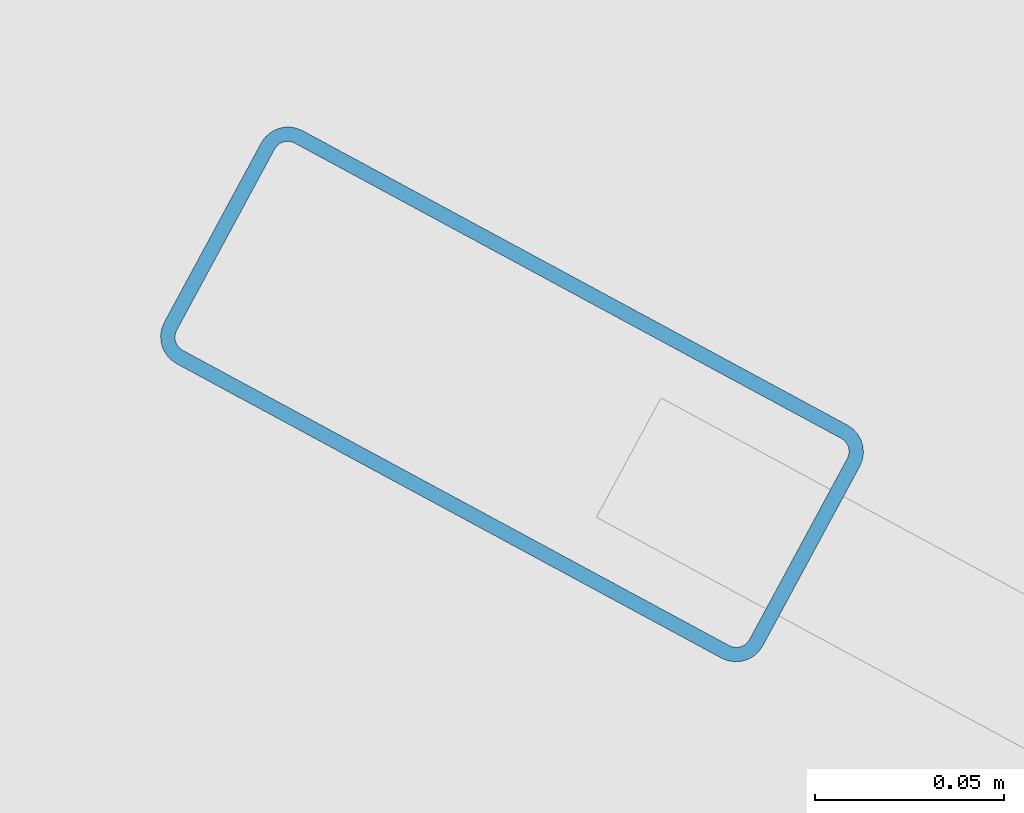
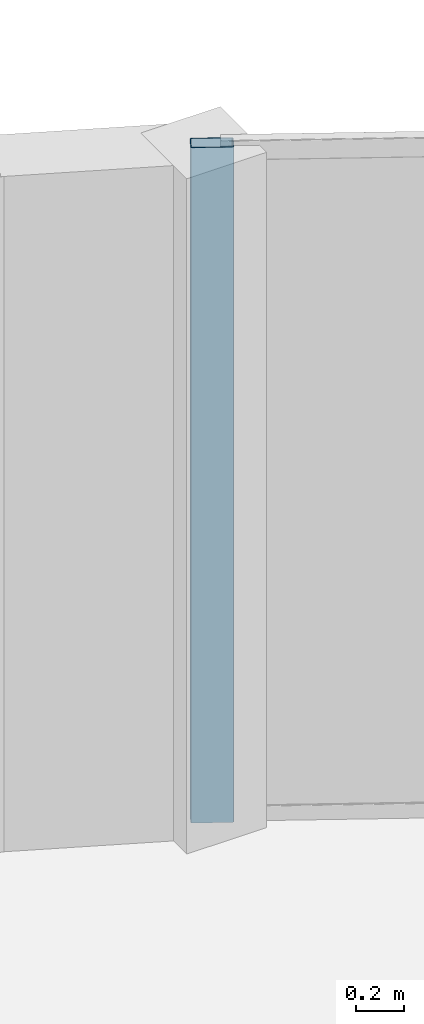
# One storey, part 7 of 13: 1 member, 1 element without a shape of its own.
"""IFC4 building model written with IfcOpenShell, lengths in metres."""

from ifc_helpers import new_model, si_unit, direction, frame, origin, origin_2d, place, context, subcontext, project, spatial, hollow_rectangle, extrude, material, layer, layer_set, material_profile, profile_set, type_object, element, aggregate, save


model = new_model("IFC4")

# Units and contexts
model_context = context("Model", 3, precision=1e-05, world=origin(), true_north=direction((0.0, 1.0)))
body_context = subcontext(model_context, "Body", "Model", "MODEL_VIEW")
ifc_project = project(units=[si_unit("LENGTHUNIT", "METRE"), si_unit("AREAUNIT", "SQUARE_METRE"), si_unit("VOLUMEUNIT", "CUBIC_METRE"), si_unit("PLANEANGLEUNIT", "RADIAN"), si_unit("MASSUNIT", "GRAM", prefix="KILO")], contexts=[model_context])

# Site, building, storey
site_placement = place(None, origin())
site = spatial("IfcSite", under=ifc_project, at=site_placement, CompositionType="ELEMENT")
building_placement = place(site_placement, origin())
building = spatial("IfcBuilding", under=site, at=building_placement, Name="An Khanh Terracotta Commons", CompositionType="ELEMENT")
storey_placement = place(building_placement, frame((0.0, 0.0, 204.89990234375)))
storey = spatial("IfcBuildingStorey", under=building, at=storey_placement, Name="L53", CompositionType="ELEMENT", Elevation=204.89990234375)

# Curtain wall, member
ifc_material = material(Name="Anodised Aluminium 6063-T6", Category="aluminium")
ifc_layer = layer(ifc_material, 0.2099609375, Name="Anodised Aluminium 6063-T6")
ifc_layer_set = layer_set([ifc_layer], Name="Anodised Aluminium 6063-T6")
curtain_wall_type = type_object("IfcCurtainWallType", Name="CW-SYS-03", PredefinedType="USERDEFINED", material=ifc_layer_set)
curtain_wall_placement = place(storey_placement, origin())
curtain_wall = element("IfcCurtainWall", 1, at=curtain_wall_placement, inside=storey, type_object=curtain_wall_type, Name="L53 CW-03 Unitised Curtain Wall CW-L53-16", ObjectType="UNITISED CURTAIN WALL", PredefinedType="USERDEFINED")
ifc_material_profile = material_profile(ifc_material, hollow_rectangle(XDim=0.070068359375, YDim=0.179931640625, WallThickness=0.00390625, InnerFilletRadius=0.00390625, OuterFilletRadius=0.008056640625, at=origin_2d()), Name="RHS180x70x4")
ifc_profile_set = profile_set([ifc_material_profile], Name="Anodised Aluminium 6063-T6")
member_type = type_object("IfcMemberType", Name="CWM-RHS180x70x4", PredefinedType="MULLION", material=ifc_profile_set)
member_placement = place(storey_placement, frame((57.3876953125, 39.058349609375, 0.0), z_axis=(0.0, 0.0, 1.0), x_axis=(-0.47538088298, -0.879780095306, 0.0)))
member = element("IfcMember", 2, at=member_placement, type_object=member_type, Name="CW-03 mullion 5", PredefinedType="MULLION", context=body_context, shape_type="SweptSolid", body=[
    extrude(hollow_rectangle(XDim=0.070068359375, YDim=0.179931640625, WallThickness=0.00390625, InnerFilletRadius=0.00390625, OuterFilletRadius=0.008056640625, at=origin_2d()), origin(), (0.0, 0.0, 1.0), 3.400146484375),
])
aggregate(curtain_wall, [member])

save(model, "model.ifc")
